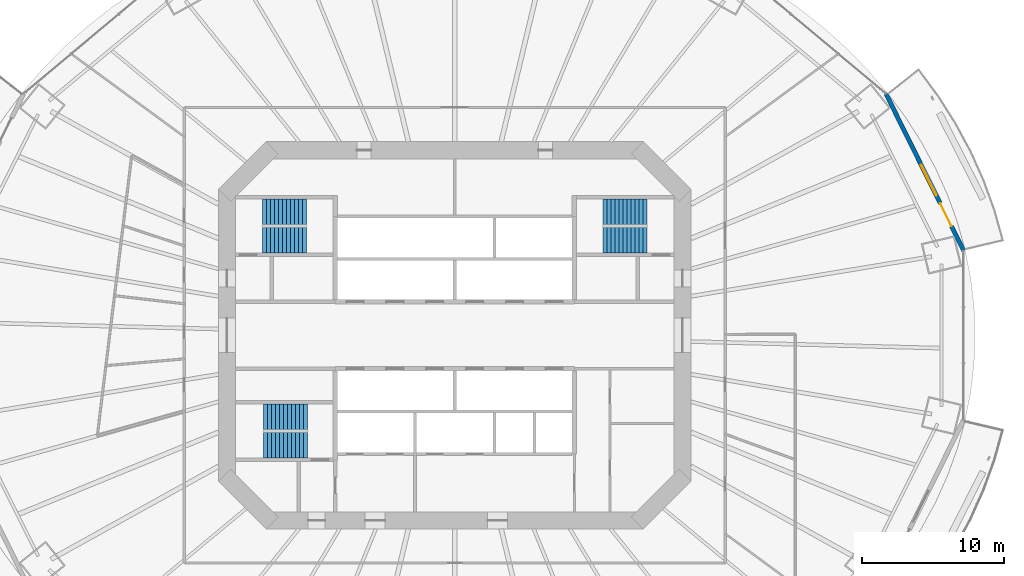
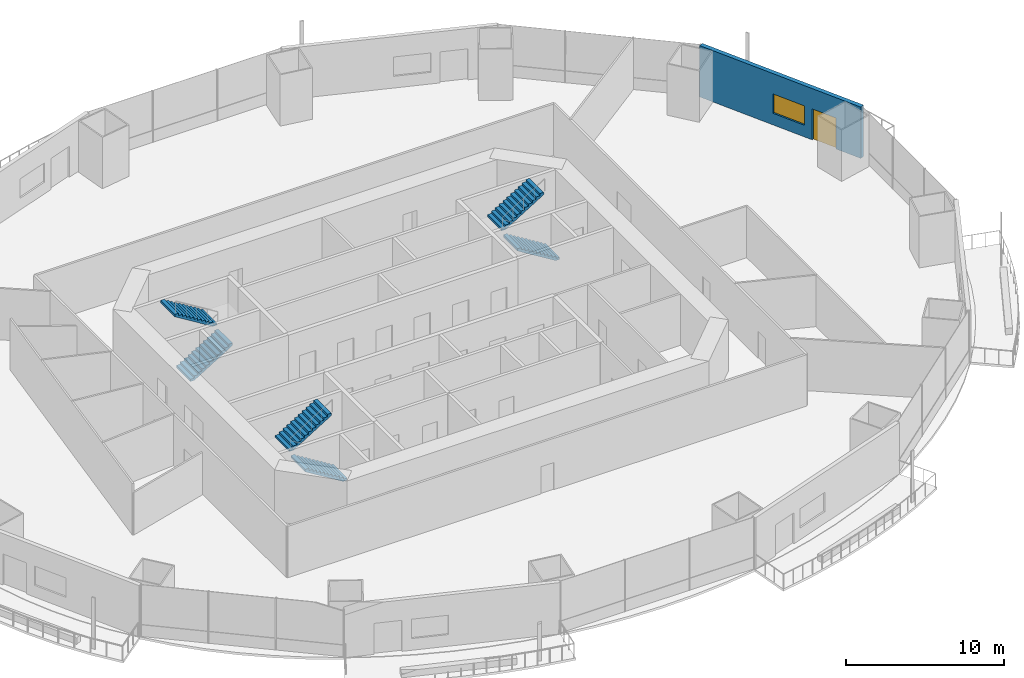
# One storey, part 17 of 23: 6 stair flights, 1 door, 1 wall, 1 window, 2 openings, 3 elements without a shape of their own.
"""IFC4 building model written with IfcOpenShell, lengths in metres."""

from ifc_helpers import new_model, si_unit, direction, frame, frame_2d, origin, place, context, subcontext, project, spatial, polyline, rectangle, outline, extrude, material, layer, layer_set, type_object, element, fill, aggregate, save


model = new_model("IFC4")

# Units and contexts
model_context = context("Model", 3, precision=1e-05, world=origin(), true_north=direction((0.0, 1.0)))
body_context = subcontext(model_context, "Body", "Model", "MODEL_VIEW")
ifc_project = project(units=[si_unit("LENGTHUNIT", "METRE"), si_unit("AREAUNIT", "SQUARE_METRE"), si_unit("VOLUMEUNIT", "CUBIC_METRE"), si_unit("PLANEANGLEUNIT", "RADIAN"), si_unit("MASSUNIT", "GRAM", prefix="KILO")], contexts=[model_context])

# Site, building, storey
site_placement = place(None, origin())
site = spatial("IfcSite", under=ifc_project, at=site_placement, CompositionType="ELEMENT")
building_placement = place(site_placement, origin())
building = spatial("IfcBuilding", under=site, at=building_placement, Name="Marenthal Gate Tower", CompositionType="ELEMENT")
storey_placement = place(building_placement, frame((0.0, 0.0, 45.449951171875)))
storey = spatial("IfcBuildingStorey", under=building, at=storey_placement, Name="L07", CompositionType="ELEMENT", Elevation=45.449951171875)

# Wall, openings, door, window
ifc_material_1 = material(Name="Terracotta cladding on insulated concrete-block backing", Category="masonry")
ifc_layer = layer(ifc_material_1, 0.300048828125)
ifc_layer_set = layer_set([ifc_layer], Name="Terracotta facade wall 300")
wall_type = type_object("IfcWallType", Name="Terracotta facade wall 300", PredefinedType="SOLIDWALL", material=ifc_layer_set)
wall_placement = place(storey_placement, frame((35.73779296875, 5.953125, 0.0), z_axis=(0.0, 0.0, 1.0), x_axis=(-0.443341984676, 0.89635254483, 0.0)))
wall = element("IfcWall", 1, at=wall_placement, inside=storey, type_object=wall_type, Name="Terracotta facade wall L07 bay 1", PredefinedType="SOLIDWALL", context=body_context, shape_type="SweptSolid", body=[
    extrude(rectangle(XDim=12.27197265625, YDim=0.300048828125, at=frame_2d((6.135986328125, 0.0))), origin(), (0.0, 0.0, 1.0), 3.969970703125),
])
opening_1_placement = place(wall_placement, frame((1.89990234375, 0.0, 0.0)))
opening_1 = element("IfcOpeningElement", 2, at=opening_1_placement, cuts=wall, Name="Opening BD-L07-01", PredefinedType="OPENING", context=body_context, shape_type="SweptSolid", body=[
    extrude(rectangle(XDim=1.800048828125, YDim=2.39990234375, at=frame_2d((0.89990234375, 1.199951171875))), frame((0.0, 0.16015625, 0.0), z_axis=(0.0, -1.0, 0.0), x_axis=(1.0, 0.0, 0.0)), (0.0, 0.0, 1.0), 0.320068359375),
])
opening_2_placement = place(wall_placement, frame((4.300048828125, 0.0, 0.89990234375)))
opening_2 = element("IfcOpeningElement", 3, at=opening_2_placement, cuts=wall, Name="Opening WN1-L07-01", PredefinedType="OPENING", context=body_context, shape_type="SweptSolid", body=[
    extrude(rectangle(XDim=2.39990234375, YDim=1.5, at=frame_2d((1.199951171875, 0.75))), frame((0.0, 0.16015625, 0.0), z_axis=(0.0, -1.0, 0.0), x_axis=(1.0, 0.0, 0.0)), (0.0, 0.0, 1.0), 0.320068359375),
])
ifc_material_2 = material(Name="Aluminium and glass", Category="aluminium")
door_type = type_object("IfcDoorType", Name="Balcony door 1800x2400", OperationType="DOUBLE_DOOR_SINGLE_SWING", PredefinedType="DOOR", material=ifc_material_2)
door_placement = place(opening_1_placement, origin())
door = element("IfcDoor", 4, at=door_placement, inside=storey, type_object=door_type, Name="Balcony door L07 bay 1", OperationType="SINGLE_SWING_LEFT", OverallHeight=2.39990234375, OverallWidth=1.800048828125, PredefinedType="DOOR", context=body_context, shape_type="SweptSolid", body=[
    extrude(rectangle(XDim=1.800048828125, YDim=2.39990234375, at=frame_2d((0.89990234375, 1.199951171875))), frame((0.0, 0.02490234375, 0.0), z_axis=(0.0, -1.0, 0.0), x_axis=(1.0, 0.0, 0.0)), (0.0, 0.0, 1.0), 0.050048828125),
])
fill(opening_1, door)
ifc_material_3 = material(Name="Aluminium and glass", Category="aluminium")
window_type = type_object("IfcWindowType", Name="Window 2400x1500", PartitioningType="TRIPLE_PANEL_VERTICAL", PredefinedType="WINDOW", material=ifc_material_3)
window_placement = place(opening_2_placement, origin())
window = element("IfcWindow", 5, at=window_placement, inside=storey, type_object=window_type, Name="Window L07 bay 1", OverallHeight=1.5, OverallWidth=2.39990234375, PartitioningType="SINGLE_PANEL", PredefinedType="WINDOW", context=body_context, shape_type="SweptSolid", body=[
    extrude(rectangle(XDim=2.39990234375, YDim=1.5, at=frame_2d((1.199951171875, 0.75))), frame((0.0, 0.030029296875, 0.0), z_axis=(0.0, -1.0, 0.0), x_axis=(1.0, 0.0, 0.0)), (0.0, 0.0, 1.0), 0.06005859375),
])
fill(opening_2, window)

# Stair, stair flights
ifc_material_4 = material(Name="Concrete 40 MPa", Category="concrete")
stair_type = type_object("IfcStairType", Name="Exit stair 1800", PredefinedType="HALF_TURN_STAIR", material=ifc_material_4)
stair_1_placement = place(storey_placement, origin())
stair_1 = element("IfcStair", 6, at=stair_1_placement, inside=storey, type_object=stair_type, Name="Stair ST1", PredefinedType="HALF_TURN_STAIR")
ifc_material_5 = material(Name="Concrete 40 MPa", Category="concrete")
stair_flight_type = type_object("IfcStairFlightType", Name="Stair flight 1800", PredefinedType="STRAIGHT", material=ifc_material_5)
stair_flight_1_placement = place(storey_placement, frame((-13.5, 6.675048828125, 0.0), z_axis=(0.0, 0.0, 1.0), x_axis=(1.0, 0.0, 0.0)))
stair_flight_1 = element("IfcStairFlight", 7, at=stair_flight_1_placement, type_object=stair_flight_type, Name="ST1 flight 1", NumberOfRisers=12, NumberOfTreads=11, PredefinedType="STRAIGHT", RiserHeight=0.172916667, TreadLength=0.28, context=body_context, shape_type="SweptSolid", body=[
    extrude(outline(polyline([(0.0, 0.0), (0.0, 0.1728515625), (0.280029296875, 0.1728515625), (0.280029296875, 0.345947265625), (0.56005859375, 0.345947265625), (0.56005859375, 0.518798828125), (0.840087890625, 0.518798828125), (0.840087890625, 0.691650390625), (1.1201171875, 0.691650390625), (1.1201171875, 0.864501953125), (1.39990234375, 0.864501953125), (1.39990234375, 1.03759765625), (1.679931640625, 1.03759765625), (1.679931640625, 1.21044921875), (1.9599609375, 1.21044921875), (1.9599609375, 1.38330078125), (2.239990234375, 1.38330078125), (2.239990234375, 1.55615234375), (2.52001953125, 1.55615234375), (2.52001953125, 1.729248046875), (2.800048828125, 1.729248046875), (2.800048828125, 1.902099609375), (3.080078125, 1.902099609375), (3.080078125, 2.074951171875), (3.080078125, 1.725830078125), (0.285400390625, 0.0), (0.0, 0.0)])), frame((0.0, 0.89990234375, 0.0), z_axis=(0.0, -1.0, 0.0), x_axis=(1.0, 0.0, 0.0)), (0.0, 0.0, 1.0), 1.800048828125),
])
stair_flight_2_placement = place(storey_placement, frame((-10.419921875, 8.675048828125, 2.074951171875), z_axis=(0.0, 0.0, 1.0), x_axis=(-1.0, 0.0, 0.0)))
stair_flight_2 = element("IfcStairFlight", 8, at=stair_flight_2_placement, type_object=stair_flight_type, Name="ST1 flight 2", NumberOfRisers=12, NumberOfTreads=11, PredefinedType="STRAIGHT", RiserHeight=0.172916667, TreadLength=0.28, context=body_context, shape_type="SweptSolid", body=[
    extrude(outline(polyline([(0.0, 0.0), (0.0, 0.1728515625), (0.280029296875, 0.1728515625), (0.280029296875, 0.345947265625), (0.56005859375, 0.345947265625), (0.56005859375, 0.518798828125), (0.840087890625, 0.518798828125), (0.840087890625, 0.691650390625), (1.1201171875, 0.691650390625), (1.1201171875, 0.864501953125), (1.39990234375, 0.864501953125), (1.39990234375, 1.03759765625), (1.679931640625, 1.03759765625), (1.679931640625, 1.21044921875), (1.9599609375, 1.21044921875), (1.9599609375, 1.38330078125), (2.239990234375, 1.38330078125), (2.239990234375, 1.55615234375), (2.52001953125, 1.55615234375), (2.52001953125, 1.729248046875), (2.800048828125, 1.729248046875), (2.800048828125, 1.902099609375), (3.080078125, 1.902099609375), (3.080078125, 2.074951171875), (3.080078125, 1.725830078125), (0.285400390625, 0.0), (0.0, 0.0)])), frame((0.0, 0.89990234375, 0.0), z_axis=(0.0, -1.0, 0.0), x_axis=(1.0, 0.0, 0.0)), (0.0, 0.0, 1.0), 1.800048828125),
])
aggregate(stair_1, [stair_flight_1, stair_flight_2])

stair_2_placement = place(storey_placement, origin())
stair_2 = element("IfcStair", 9, at=stair_2_placement, inside=storey, type_object=stair_type, Name="Stair ST2", PredefinedType="HALF_TURN_STAIR")
stair_flight_3_placement = place(storey_placement, frame((-10.35009765625, -7.72509765625, 0.0), z_axis=(0.0, 0.0, 1.0), x_axis=(-1.0, 0.0, 0.0)))
stair_flight_3 = element("IfcStairFlight", 10, at=stair_flight_3_placement, type_object=stair_flight_type, Name="ST2 flight 1", NumberOfRisers=12, NumberOfTreads=11, PredefinedType="STRAIGHT", RiserHeight=0.172916667, TreadLength=0.28, context=body_context, shape_type="SweptSolid", body=[
    extrude(outline(polyline([(0.0, 0.0), (0.0, 0.1728515625), (0.280029296875, 0.1728515625), (0.280029296875, 0.345947265625), (0.56005859375, 0.345947265625), (0.56005859375, 0.518798828125), (0.840087890625, 0.518798828125), (0.840087890625, 0.691650390625), (1.1201171875, 0.691650390625), (1.1201171875, 0.864501953125), (1.39990234375, 0.864501953125), (1.39990234375, 1.03759765625), (1.679931640625, 1.03759765625), (1.679931640625, 1.21044921875), (1.9599609375, 1.21044921875), (1.9599609375, 1.38330078125), (2.239990234375, 1.38330078125), (2.239990234375, 1.55615234375), (2.52001953125, 1.55615234375), (2.52001953125, 1.729248046875), (2.800048828125, 1.729248046875), (2.800048828125, 1.902099609375), (3.080078125, 1.902099609375), (3.080078125, 2.074951171875), (3.080078125, 1.725830078125), (0.285400390625, 0.0), (0.0, 0.0)])), frame((0.0, 0.89990234375, 0.0), z_axis=(0.0, -1.0, 0.0), x_axis=(1.0, 0.0, 0.0)), (0.0, 0.0, 1.0), 1.800048828125),
])
stair_flight_4_placement = place(storey_placement, frame((-13.429931640625, -5.72509765625, 2.074951171875), z_axis=(0.0, 0.0, 1.0), x_axis=(1.0, 0.0, 0.0)))
stair_flight_4 = element("IfcStairFlight", 11, at=stair_flight_4_placement, type_object=stair_flight_type, Name="ST2 flight 2", NumberOfRisers=12, NumberOfTreads=11, PredefinedType="STRAIGHT", RiserHeight=0.172916667, TreadLength=0.28, context=body_context, shape_type="SweptSolid", body=[
    extrude(outline(polyline([(0.0, 0.0), (0.0, 0.1728515625), (0.280029296875, 0.1728515625), (0.280029296875, 0.345947265625), (0.56005859375, 0.345947265625), (0.56005859375, 0.518798828125), (0.840087890625, 0.518798828125), (0.840087890625, 0.691650390625), (1.1201171875, 0.691650390625), (1.1201171875, 0.864501953125), (1.39990234375, 0.864501953125), (1.39990234375, 1.03759765625), (1.679931640625, 1.03759765625), (1.679931640625, 1.21044921875), (1.9599609375, 1.21044921875), (1.9599609375, 1.38330078125), (2.239990234375, 1.38330078125), (2.239990234375, 1.55615234375), (2.52001953125, 1.55615234375), (2.52001953125, 1.729248046875), (2.800048828125, 1.729248046875), (2.800048828125, 1.902099609375), (3.080078125, 1.902099609375), (3.080078125, 2.074951171875), (3.080078125, 1.725830078125), (0.285400390625, 0.0), (0.0, 0.0)])), frame((0.0, 0.89990234375, 0.0), z_axis=(0.0, -1.0, 0.0), x_axis=(1.0, 0.0, 0.0)), (0.0, 0.0, 1.0), 1.800048828125),
])
aggregate(stair_2, [stair_flight_3, stair_flight_4])

stair_3_placement = place(storey_placement, origin())
stair_3 = element("IfcStair", 12, at=stair_3_placement, inside=storey, type_object=stair_type, Name="Stair ST3", PredefinedType="HALF_TURN_STAIR")
stair_flight_5_placement = place(storey_placement, frame((13.5, 6.675048828125, 0.0), z_axis=(0.0, 0.0, 1.0), x_axis=(-1.0, 0.0, 0.0)))
stair_flight_5 = element("IfcStairFlight", 13, at=stair_flight_5_placement, type_object=stair_flight_type, Name="ST3 flight 1", NumberOfRisers=12, NumberOfTreads=11, PredefinedType="STRAIGHT", RiserHeight=0.172916667, TreadLength=0.28, context=body_context, shape_type="SweptSolid", body=[
    extrude(outline(polyline([(0.0, 0.0), (0.0, 0.1728515625), (0.280029296875, 0.1728515625), (0.280029296875, 0.345947265625), (0.56005859375, 0.345947265625), (0.56005859375, 0.518798828125), (0.840087890625, 0.518798828125), (0.840087890625, 0.691650390625), (1.1201171875, 0.691650390625), (1.1201171875, 0.864501953125), (1.39990234375, 0.864501953125), (1.39990234375, 1.03759765625), (1.679931640625, 1.03759765625), (1.679931640625, 1.21044921875), (1.9599609375, 1.21044921875), (1.9599609375, 1.38330078125), (2.239990234375, 1.38330078125), (2.239990234375, 1.55615234375), (2.52001953125, 1.55615234375), (2.52001953125, 1.729248046875), (2.800048828125, 1.729248046875), (2.800048828125, 1.902099609375), (3.080078125, 1.902099609375), (3.080078125, 2.074951171875), (3.080078125, 1.725830078125), (0.285400390625, 0.0), (0.0, 0.0)])), frame((0.0, 0.89990234375, 0.0), z_axis=(0.0, -1.0, 0.0), x_axis=(1.0, 0.0, 0.0)), (0.0, 0.0, 1.0), 1.800048828125),
])
stair_flight_6_placement = place(storey_placement, frame((10.419921875, 8.675048828125, 2.074951171875), z_axis=(0.0, 0.0, 1.0), x_axis=(1.0, 0.0, 0.0)))
stair_flight_6 = element("IfcStairFlight", 14, at=stair_flight_6_placement, type_object=stair_flight_type, Name="ST3 flight 2", NumberOfRisers=12, NumberOfTreads=11, PredefinedType="STRAIGHT", RiserHeight=0.172916667, TreadLength=0.28, context=body_context, shape_type="SweptSolid", body=[
    extrude(outline(polyline([(0.0, 0.0), (0.0, 0.1728515625), (0.280029296875, 0.1728515625), (0.280029296875, 0.345947265625), (0.56005859375, 0.345947265625), (0.56005859375, 0.518798828125), (0.840087890625, 0.518798828125), (0.840087890625, 0.691650390625), (1.1201171875, 0.691650390625), (1.1201171875, 0.864501953125), (1.39990234375, 0.864501953125), (1.39990234375, 1.03759765625), (1.679931640625, 1.03759765625), (1.679931640625, 1.21044921875), (1.9599609375, 1.21044921875), (1.9599609375, 1.38330078125), (2.239990234375, 1.38330078125), (2.239990234375, 1.55615234375), (2.52001953125, 1.55615234375), (2.52001953125, 1.729248046875), (2.800048828125, 1.729248046875), (2.800048828125, 1.902099609375), (3.080078125, 1.902099609375), (3.080078125, 2.074951171875), (3.080078125, 1.725830078125), (0.285400390625, 0.0), (0.0, 0.0)])), frame((0.0, 0.89990234375, 0.0), z_axis=(0.0, -1.0, 0.0), x_axis=(1.0, 0.0, 0.0)), (0.0, 0.0, 1.0), 1.800048828125),
])
aggregate(stair_3, [stair_flight_5, stair_flight_6])

save(model, "model.ifc")
